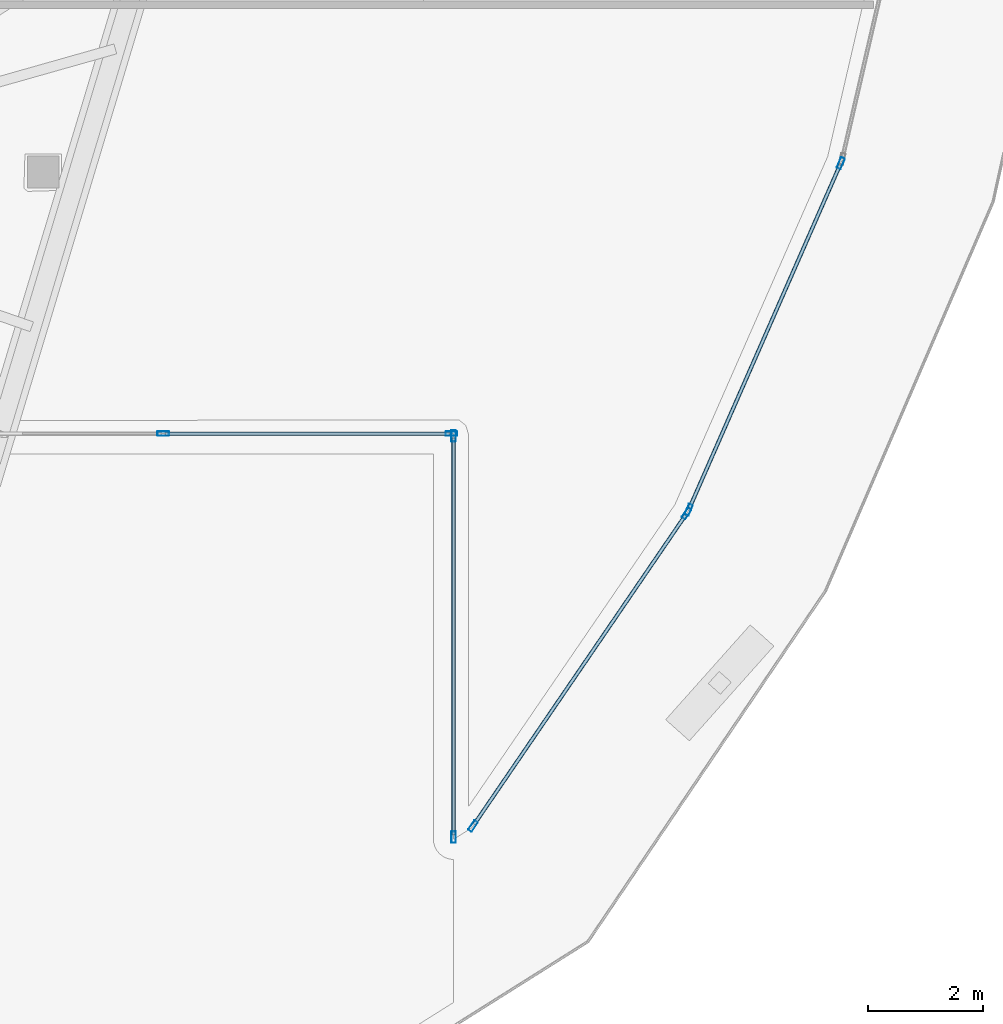
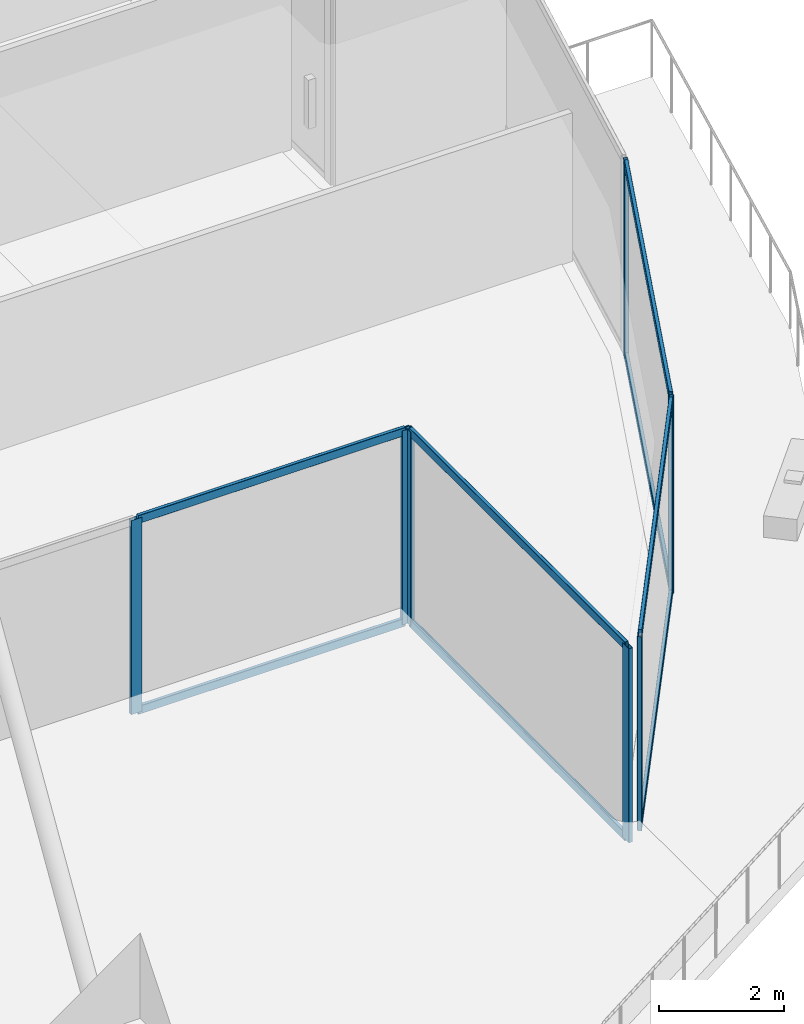
# One storey, part 11 of 39: 16 members, 4 elements without a shape of their own.
"""IFC4 building model written with IfcOpenShell, lengths in metres."""

from ifc_helpers import new_model, si_unit, direction, frame, origin, origin_2d, place, context, subcontext, project, spatial, hollow_rectangle, extrude, material, layer, layer_set, material_profile, profile_set, type_object, element, aggregate, save


model = new_model("IFC4")

# Units and contexts
model_context = context("Model", 3, precision=1e-05, world=origin(), true_north=direction((0.0, 1.0)))
body_context = subcontext(model_context, "Body", "Model", "MODEL_VIEW")
ifc_project = project(units=[si_unit("LENGTHUNIT", "METRE"), si_unit("AREAUNIT", "SQUARE_METRE"), si_unit("VOLUMEUNIT", "CUBIC_METRE"), si_unit("PLANEANGLEUNIT", "RADIAN"), si_unit("MASSUNIT", "GRAM", prefix="KILO")], contexts=[model_context])

# Site, building, storey
site_placement = place(None, origin())
site = spatial("IfcSite", under=ifc_project, at=site_placement, CompositionType="ELEMENT")
building_placement = place(site_placement, origin())
building = spatial("IfcBuilding", under=site, at=building_placement, Name="Qorvath Tower", CompositionType="ELEMENT")
storey_placement = place(building_placement, frame((0.0, 0.0, 154.35009765625)))
storey = spatial("IfcBuildingStorey", under=building, at=storey_placement, Name="L35", CompositionType="ELEMENT", Elevation=154.35009765625)

# Curtain wall, members
ifc_material_1 = material(Name="Anodised aluminium and triple low-E glass", Category="aluminium")
ifc_layer = layer(ifc_material_1, 0.179931640625)
ifc_layer_set = layer_set([ifc_layer], Name="CW-SYS-5")
curtain_wall_type = type_object("IfcCurtainWallType", Name="CW-SYS-5", PredefinedType="NOTDEFINED", material=ifc_layer_set)
curtain_wall_1_placement = place(storey_placement, origin())
curtain_wall_1 = element("IfcCurtainWall", 1, at=curtain_wall_1_placement, inside=storey, type_object=curtain_wall_type, Name="Curtain Wall CW-5 CW-T-L35-2.1", PredefinedType="NOTDEFINED")
ifc_material_2 = material(Name="Anodised aluminium 6063-T6", Category="aluminium")
ifc_material_profile_1 = material_profile(ifc_material_2, hollow_rectangle(XDim=0.074951171875, YDim=0.199951171875, WallThickness=0.00390625, InnerFilletRadius=0.00390625, OuterFilletRadius=0.008056640625, at=origin_2d()), Name="CWM 200x75")
ifc_profile_set_1 = profile_set([ifc_material_profile_1], Name="Anodised aluminium 6063-T6")
member_type_1 = type_object("IfcMemberType", Name="CWM-200", PredefinedType="MULLION", material=ifc_profile_set_1)
member_1_placement = place(storey_placement, frame((-9.719970703125, -15.98388671875, 0.0), z_axis=(0.0, 0.0, 1.0), x_axis=(0.0, 1.0, 0.0)))
member_1 = element("IfcMember", 2, at=member_1_placement, type_object=member_type_1, Name="CW-5 mullion 3", PredefinedType="MULLION", context=body_context, shape_type="SweptSolid", body=[
    extrude(hollow_rectangle(XDim=0.074951171875, YDim=0.199951171875, WallThickness=0.00390625, InnerFilletRadius=0.00390625, OuterFilletRadius=0.008056640625, at=origin_2d()), origin(), (0.0, 0.0, 1.0), 3.77978515625),
])
member_2_placement = place(storey_placement, frame((-4.7255859375, -15.98388671875, 0.0), z_axis=(0.0, 0.0, 1.0), x_axis=(0.0, 1.0, 0.0)))
member_2 = element("IfcMember", 3, at=member_2_placement, type_object=member_type_1, Name="CW-5 mullion 4", PredefinedType="MULLION", context=body_context, shape_type="SweptSolid", body=[
    extrude(hollow_rectangle(XDim=0.074951171875, YDim=0.199951171875, WallThickness=0.00390625, InnerFilletRadius=0.00390625, OuterFilletRadius=0.008056640625, at=origin_2d()), origin(), (0.0, 0.0, 1.0), 3.77978515625),
])

curtain_wall_2_placement = place(storey_placement, origin())
curtain_wall_2 = element("IfcCurtainWall", 4, at=curtain_wall_2_placement, inside=storey, type_object=curtain_wall_type, Name="Curtain Wall CW-5 CW-T-L35-3.1", PredefinedType="NOTDEFINED")
member_3_placement = place(storey_placement, frame((-4.68798828125, -16.021484375, 0.0), z_axis=(0.0, 0.0, 1.0), x_axis=(1.0, 0.0, 0.0)))
member_3 = element("IfcMember", 5, at=member_3_placement, type_object=member_type_1, Name="CW-5 mullion 1", PredefinedType="MULLION", context=body_context, shape_type="SweptSolid", body=[
    extrude(hollow_rectangle(XDim=0.074951171875, YDim=0.199951171875, WallThickness=0.00390625, InnerFilletRadius=0.00390625, OuterFilletRadius=0.008056640625, at=origin_2d()), origin(), (0.0, 0.0, 1.0), 3.77978515625),
])
member_4_placement = place(storey_placement, frame((-4.68798828125, -22.976318359375, 0.0), z_axis=(0.0, 0.0, 1.0), x_axis=(1.0, 0.0, 0.0)))
member_4 = element("IfcMember", 6, at=member_4_placement, type_object=member_type_1, Name="CW-5 mullion 2", PredefinedType="MULLION", context=body_context, shape_type="SweptSolid", body=[
    extrude(hollow_rectangle(XDim=0.074951171875, YDim=0.199951171875, WallThickness=0.00390625, InnerFilletRadius=0.00390625, OuterFilletRadius=0.008056640625, at=origin_2d()), origin(), (0.0, 0.0, 1.0), 3.77978515625),
])

curtain_wall_3_placement = place(storey_placement, origin())
curtain_wall_3 = element("IfcCurtainWall", 7, at=curtain_wall_3_placement, inside=storey, type_object=curtain_wall_type, Name="Curtain Wall CW-5 CW-T-L35-5.1", PredefinedType="NOTDEFINED")
member_5_placement = place(storey_placement, frame((-4.35205078125, -22.786376953125, 0.0), z_axis=(0.0, 0.0, 1.0), x_axis=(-0.825580649528, 0.564284140416, 0.0)))
member_5 = element("IfcMember", 8, at=member_5_placement, type_object=member_type_1, Name="CW-5 mullion 1", PredefinedType="MULLION", context=body_context, shape_type="SweptSolid", body=[
    extrude(hollow_rectangle(XDim=0.074951171875, YDim=0.199951171875, WallThickness=0.00390625, InnerFilletRadius=0.00390625, OuterFilletRadius=0.008056640625, at=origin_2d()), origin(), (0.0, 0.0, 1.0), 3.77978515625),
])
member_6_placement = place(storey_placement, frame((-0.6494140625, -17.369140625, 0.0), z_axis=(0.0, 0.0, 1.0), x_axis=(-0.825580649528, 0.564284140416, 0.0)))
member_6 = element("IfcMember", 9, at=member_6_placement, type_object=member_type_1, Name="CW-5 mullion 2", PredefinedType="MULLION", context=body_context, shape_type="SweptSolid", body=[
    extrude(hollow_rectangle(XDim=0.074951171875, YDim=0.199951171875, WallThickness=0.00390625, InnerFilletRadius=0.00390625, OuterFilletRadius=0.008056640625, at=origin_2d()), origin(), (0.0, 0.0, 1.0), 3.77978515625),
])

curtain_wall_4_placement = place(storey_placement, origin())
curtain_wall_4 = element("IfcCurtainWall", 10, at=curtain_wall_4_placement, inside=storey, type_object=curtain_wall_type, Name="Curtain Wall CW-5 CW-T-L35-6.1", PredefinedType="NOTDEFINED")
member_7_placement = place(storey_placement, frame((-0.613037109375, -17.3037109375, 0.0), z_axis=(0.0, 0.0, 1.0), x_axis=(-0.91568257839, 0.401902246365, 0.0)))
member_7 = element("IfcMember", 11, at=member_7_placement, type_object=member_type_1, Name="CW-5 mullion 1", PredefinedType="MULLION", context=body_context, shape_type="SweptSolid", body=[
    extrude(hollow_rectangle(XDim=0.074951171875, YDim=0.199951171875, WallThickness=0.00390625, InnerFilletRadius=0.00390625, OuterFilletRadius=0.008056640625, at=origin_2d()), origin(), (0.0, 0.0, 1.0), 3.77978515625),
])
member_8_placement = place(storey_placement, frame((2.02392578125, -11.29541015625, 0.0), z_axis=(0.0, 0.0, 1.0), x_axis=(-0.91568257839, 0.401902246365, 0.0)))
member_8 = element("IfcMember", 12, at=member_8_placement, type_object=member_type_1, Name="CW-5 mullion 2", PredefinedType="MULLION", context=body_context, shape_type="SweptSolid", body=[
    extrude(hollow_rectangle(XDim=0.074951171875, YDim=0.199951171875, WallThickness=0.00390625, InnerFilletRadius=0.00390625, OuterFilletRadius=0.008056640625, at=origin_2d()), origin(), (0.0, 0.0, 1.0), 3.77978515625),
])

# Member
ifc_material_3 = material(Name="Anodised aluminium 6063-T6", Category="aluminium")
ifc_material_profile_2 = material_profile(ifc_material_3, hollow_rectangle(XDim=0.06494140625, YDim=0.159912109375, WallThickness=0.00341796875, InnerFilletRadius=0.00341796875, OuterFilletRadius=0.007080078125, at=origin_2d()), Name="CWT 160x65")
ifc_profile_set_2 = profile_set([ifc_material_profile_2], Name="Anodised aluminium 6063-T6")
member_type_2 = type_object("IfcMemberType", Name="CWT-160", PredefinedType="USERDEFINED", material=ifc_profile_set_2)
member_9_placement = place(storey_placement, frame((-9.682373046875, -15.98388671875, 0.032470703125), z_axis=(1.0, 0.0, 0.0), x_axis=(0.0, 1.0, 0.0)))
member_9 = element("IfcMember", 13, at=member_9_placement, type_object=member_type_2, Name="CW-5 transom 3.1", ObjectType="TRANSOM", PredefinedType="USERDEFINED", context=body_context, shape_type="SweptSolid", body=[
    extrude(hollow_rectangle(XDim=0.06494140625, YDim=0.159912109375, WallThickness=0.00341796875, InnerFilletRadius=0.00341796875, OuterFilletRadius=0.007080078125, at=origin_2d()), origin(), (0.0, 0.0, 1.0), 4.91943359375),
])

member_10_placement = place(storey_placement, frame((-9.682373046875, -15.98388671875, 3.747314453125), z_axis=(1.0, 0.0, 0.0), x_axis=(0.0, 1.0, 0.0)))
member_10 = element("IfcMember", 14, at=member_10_placement, type_object=member_type_2, Name="CW-5 transom 3.2", ObjectType="TRANSOM", PredefinedType="USERDEFINED", context=body_context, shape_type="SweptSolid", body=[
    extrude(hollow_rectangle(XDim=0.06494140625, YDim=0.159912109375, WallThickness=0.00341796875, InnerFilletRadius=0.00341796875, OuterFilletRadius=0.007080078125, at=origin_2d()), origin(), (0.0, 0.0, 1.0), 4.91943359375),
])

aggregate(curtain_wall_1, [member_1, member_2, member_9, member_10])

member_11_placement = place(storey_placement, frame((-4.68798828125, -16.058837890625, 0.032470703125), z_axis=(0.0, -1.0, 0.0), x_axis=(1.0, 0.0, 0.0)))
member_11 = element("IfcMember", 15, at=member_11_placement, type_object=member_type_2, Name="CW-5 transom 1.1", ObjectType="TRANSOM", PredefinedType="USERDEFINED", context=body_context, shape_type="SweptSolid", body=[
    extrude(hollow_rectangle(XDim=0.06494140625, YDim=0.159912109375, WallThickness=0.00341796875, InnerFilletRadius=0.00341796875, OuterFilletRadius=0.007080078125, at=origin_2d()), origin(), (0.0, 0.0, 1.0), 6.8798828125),
])

member_12_placement = place(storey_placement, frame((-4.68798828125, -16.058837890625, 3.747314453125), z_axis=(0.0, -1.0, 0.0), x_axis=(1.0, 0.0, 0.0)))
member_12 = element("IfcMember", 16, at=member_12_placement, type_object=member_type_2, Name="CW-5 transom 1.2", ObjectType="TRANSOM", PredefinedType="USERDEFINED", context=body_context, shape_type="SweptSolid", body=[
    extrude(hollow_rectangle(XDim=0.06494140625, YDim=0.159912109375, WallThickness=0.00341796875, InnerFilletRadius=0.00341796875, OuterFilletRadius=0.007080078125, at=origin_2d()), origin(), (0.0, 0.0, 1.0), 6.8798828125),
])

aggregate(curtain_wall_2, [member_3, member_4, member_11, member_12])

member_13_placement = place(storey_placement, frame((-4.3310546875, -22.75537109375, 0.032470703125), z_axis=(0.564303384212, 0.82556749607, 0.0), x_axis=(-0.82556749607, 0.564303384212, 0.0)))
member_13 = element("IfcMember", 17, at=member_13_placement, type_object=member_type_2, Name="CW-5 transom 1.1", ObjectType="TRANSOM", PredefinedType="USERDEFINED", context=body_context, shape_type="SweptSolid", body=[
    extrude(hollow_rectangle(XDim=0.06494140625, YDim=0.159912109375, WallThickness=0.00341796875, InnerFilletRadius=0.00341796875, OuterFilletRadius=0.007080078125, at=origin_2d()), origin(), (0.0, 0.0, 1.0), 6.487060546875),
])

member_14_placement = place(storey_placement, frame((-4.3310546875, -22.75537109375, 3.747314453125), z_axis=(0.564303384212, 0.82556749607, 0.0), x_axis=(-0.82556749607, 0.564303384212, 0.0)))
member_14 = element("IfcMember", 18, at=member_14_placement, type_object=member_type_2, Name="CW-5 transom 1.2", ObjectType="TRANSOM", PredefinedType="USERDEFINED", context=body_context, shape_type="SweptSolid", body=[
    extrude(hollow_rectangle(XDim=0.06494140625, YDim=0.159912109375, WallThickness=0.00341796875, InnerFilletRadius=0.00341796875, OuterFilletRadius=0.007080078125, at=origin_2d()), origin(), (0.0, 0.0, 1.0), 6.487060546875),
])

aggregate(curtain_wall_3, [member_5, member_6, member_13, member_14])

member_15_placement = place(storey_placement, frame((-0.59814453125, -17.26953125, 0.032470703125), z_axis=(0.401912330062, 0.915678152488, 0.0), x_axis=(-0.915678152488, 0.401912330062, 0.0)))
member_15 = element("IfcMember", 19, at=member_15_placement, type_object=member_type_2, Name="CW-5 transom 1.1", ObjectType="TRANSOM", PredefinedType="USERDEFINED", context=body_context, shape_type="SweptSolid", body=[
    extrude(hollow_rectangle(XDim=0.06494140625, YDim=0.159912109375, WallThickness=0.00341796875, InnerFilletRadius=0.00341796875, OuterFilletRadius=0.007080078125, at=origin_2d()), origin(), (0.0, 0.0, 1.0), 6.48681640625),
])

member_16_placement = place(storey_placement, frame((-0.59814453125, -17.26953125, 3.747314453125), z_axis=(0.401912330062, 0.915678152488, 0.0), x_axis=(-0.915678152488, 0.401912330062, 0.0)))
member_16 = element("IfcMember", 20, at=member_16_placement, type_object=member_type_2, Name="CW-5 transom 1.2", ObjectType="TRANSOM", PredefinedType="USERDEFINED", context=body_context, shape_type="SweptSolid", body=[
    extrude(hollow_rectangle(XDim=0.06494140625, YDim=0.159912109375, WallThickness=0.00341796875, InnerFilletRadius=0.00341796875, OuterFilletRadius=0.007080078125, at=origin_2d()), origin(), (0.0, 0.0, 1.0), 6.48681640625),
])

aggregate(curtain_wall_4, [member_7, member_8, member_15, member_16])

save(model, "model.ifc")
